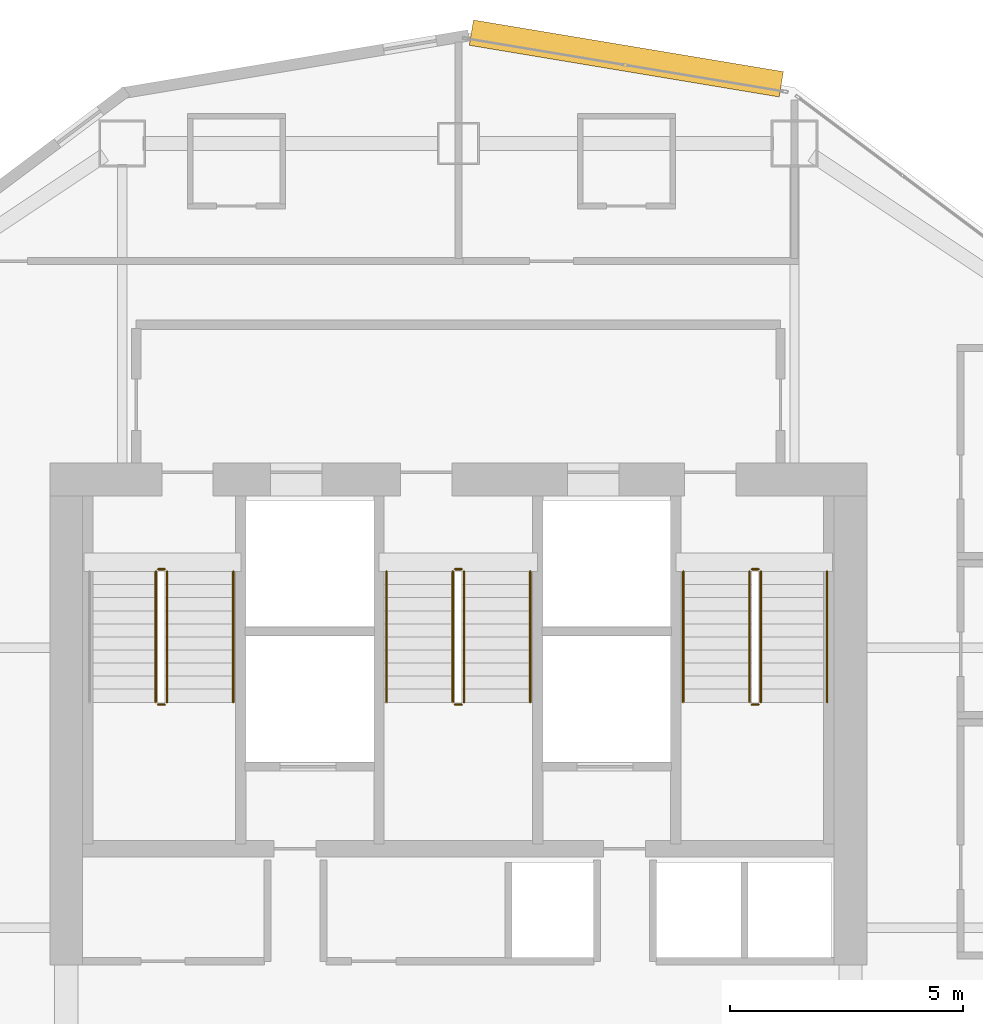
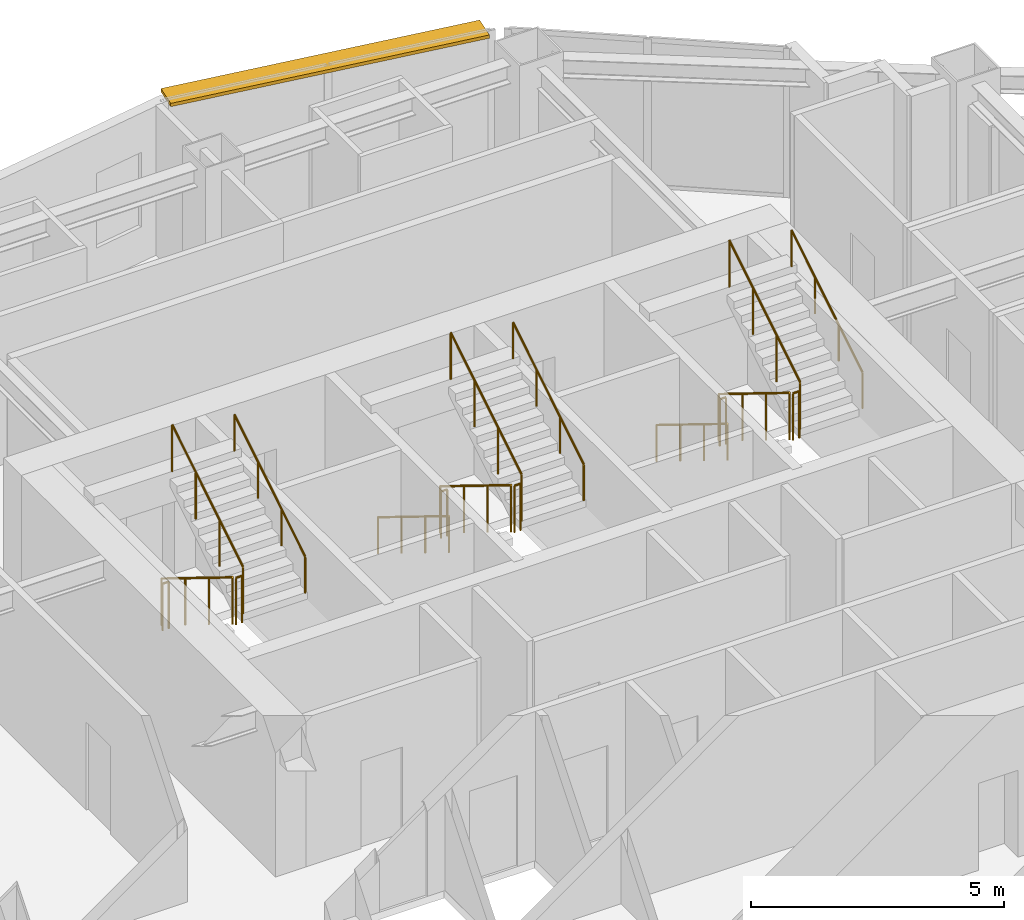
# One storey, part 14 of 14: 17 railings, 1 shading device.
"""IFC4 building model written with IfcOpenShell, lengths in metres."""

from ifc_helpers import new_model, si_unit, direction, frame, origin, origin_2d, place, context, subcontext, project, spatial, rectangle, circle, extrude, material, layer, layer_set, type_object, element, save


model = new_model("IFC4")

# Units and contexts
model_context = context("Model", 3, precision=1e-05, world=origin(), true_north=direction((0.0, 1.0)))
body_context = subcontext(model_context, "Body", "Model", "MODEL_VIEW")
ifc_project = project(units=[si_unit("LENGTHUNIT", "METRE"), si_unit("AREAUNIT", "SQUARE_METRE"), si_unit("VOLUMEUNIT", "CUBIC_METRE"), si_unit("PLANEANGLEUNIT", "RADIAN"), si_unit("MASSUNIT", "GRAM", prefix="KILO")], contexts=[model_context])

# Site, building, storey
site_placement = place(None, origin())
site = spatial("IfcSite", under=ifc_project, at=site_placement, CompositionType="ELEMENT")
building_placement = place(site_placement, origin())
building = spatial("IfcBuilding", under=site, at=building_placement, Name="Haolan Belvedere Tower", CompositionType="ELEMENT")
storey_placement = place(building_placement, frame((0.0, 0.0, 144.800048828125)))
storey = spatial("IfcBuildingStorey", under=building, at=storey_placement, Name="L36", CompositionType="ELEMENT", Elevation=144.800048828125)

# Railings
ifc_material_1 = material(Name="Brushed stainless steel 304", Category="steel")
railing_type_1 = type_object("IfcRailingType", Name="RL-STAIR-GRD-1150", PredefinedType="GUARDRAIL", material=ifc_material_1)
railing_1_placement = place(storey_placement, frame((31.919921875, 41.22998046875, 0.172607421875)))
element("IfcRailing", 1, at=railing_1_placement, inside=storey, type_object=railing_type_1, Name="L36 ST1 stair guard 1", PredefinedType="GUARDRAIL", context=body_context, shape_type="SweptSolid", body=[
    extrude(circle(Radius=0.02392578125, at=origin_2d()), frame((0.0, 0.0, 1.1259765625), z_axis=(0.0, -0.851089632645, 0.525020415988), x_axis=(1.0, 0.0, 0.0)), (0.0, 0.0, 1.0), 3.2900390625),
    extrude(circle(Radius=0.02099609375, at=origin_2d()), origin(), (0.0, 0.0, 1.0), 1.101806640625),
    extrude(circle(Radius=0.02099609375, at=origin_2d()), frame((0.0, -0.933349609375, 0.57568359375)), (0.0, 0.0, 1.0), 1.101806640625),
    extrude(circle(Radius=0.02099609375, at=origin_2d()), frame((0.0, -1.86669921875, 1.151611328125)), (0.0, 0.0, 1.0), 1.101806640625),
    extrude(circle(Radius=0.02099609375, at=origin_2d()), frame((0.0, -2.800048828125, 1.727294921875)), (0.0, 0.0, 1.0), 1.101806640625),
])
railing_2_placement = place(storey_placement, frame((31.969970703125, 38.3798828125, 1.89990234375)))
element("IfcRailing", 2, at=railing_2_placement, inside=storey, type_object=railing_type_1, Name="L36 ST1 stair guard 2", PredefinedType="GUARDRAIL", context=body_context, shape_type="SweptSolid", body=[
    extrude(circle(Radius=0.02392578125, at=origin_2d()), frame((0.0, 0.0, 1.1259765625), z_axis=(1.0, 0.0, 0.0), x_axis=(0.0, 1.0, 0.0)), (0.0, 0.0, 1.0), 0.14013671875),
    extrude(circle(Radius=0.02099609375, at=origin_2d()), origin(), (0.0, 0.0, 1.0), 1.101806640625),
    extrude(circle(Radius=0.02099609375, at=origin_2d()), frame((0.14013671875, 0.0, 0.0)), (0.0, 0.0, 1.0), 1.101806640625),
])
railing_3_placement = place(storey_placement, frame((32.159912109375, 38.429931640625, 2.07275390625)))
element("IfcRailing", 3, at=railing_3_placement, inside=storey, type_object=railing_type_1, Name="L36 ST1 stair guard 3", PredefinedType="GUARDRAIL", context=body_context, shape_type="SweptSolid", body=[
    extrude(circle(Radius=0.02392578125, at=origin_2d()), frame((0.0, 0.0, 1.1259765625), z_axis=(0.0, 0.851089632645, 0.525020415988), x_axis=(-1.0, 0.0, 0.0)), (0.0, 0.0, 1.0), 3.2900390625),
    extrude(circle(Radius=0.02099609375, at=origin_2d()), origin(), (0.0, 0.0, 1.0), 1.101806640625),
    extrude(circle(Radius=0.02099609375, at=origin_2d()), frame((0.0, 0.933349609375, 0.57568359375)), (0.0, 0.0, 1.0), 1.101806640625),
    extrude(circle(Radius=0.02099609375, at=origin_2d()), frame((0.0, 1.86669921875, 1.151611328125)), (0.0, 0.0, 1.0), 1.101806640625),
    extrude(circle(Radius=0.02099609375, at=origin_2d()), frame((0.0, 2.800048828125, 1.727294921875)), (0.0, 0.0, 1.0), 1.101806640625),
])
railing_4_placement = place(storey_placement, frame((31.969970703125, 41.280029296875, 0.0)))
element("IfcRailing", 4, at=railing_4_placement, inside=storey, type_object=railing_type_1, Name="L36 ST1 stair guard 4", PredefinedType="GUARDRAIL", context=body_context, shape_type="SweptSolid", body=[
    extrude(circle(Radius=0.02392578125, at=origin_2d()), frame((0.0, 0.0, 1.1259765625), z_axis=(1.0, 0.0, 0.0), x_axis=(0.0, 1.0, 0.0)), (0.0, 0.0, 1.0), 0.14013671875),
    extrude(circle(Radius=0.02099609375, at=origin_2d()), origin(), (0.0, 0.0, 1.0), 1.101806640625),
    extrude(circle(Radius=0.02099609375, at=origin_2d()), frame((0.14013671875, 0.0, 0.0)), (0.0, 0.0, 1.0), 1.101806640625),
])
railing_5_placement = place(storey_placement, frame((38.280029296875, 41.22998046875, 0.172607421875)))
element("IfcRailing", 5, at=railing_5_placement, inside=storey, type_object=railing_type_1, Name="L36 ST3 stair guard 1", PredefinedType="GUARDRAIL", context=body_context, shape_type="SweptSolid", body=[
    extrude(circle(Radius=0.02392578125, at=origin_2d()), frame((0.0, 0.0, 1.1259765625), z_axis=(0.0, -0.851089632645, 0.525020415988), x_axis=(1.0, 0.0, 0.0)), (0.0, 0.0, 1.0), 3.2900390625),
    extrude(circle(Radius=0.02099609375, at=origin_2d()), origin(), (0.0, 0.0, 1.0), 1.101806640625),
    extrude(circle(Radius=0.02099609375, at=origin_2d()), frame((0.0, -0.933349609375, 0.57568359375)), (0.0, 0.0, 1.0), 1.101806640625),
    extrude(circle(Radius=0.02099609375, at=origin_2d()), frame((0.0, -1.86669921875, 1.151611328125)), (0.0, 0.0, 1.0), 1.101806640625),
    extrude(circle(Radius=0.02099609375, at=origin_2d()), frame((0.0, -2.800048828125, 1.727294921875)), (0.0, 0.0, 1.0), 1.101806640625),
])
railing_6_placement = place(storey_placement, frame((38.330078125, 38.3798828125, 1.89990234375)))
element("IfcRailing", 6, at=railing_6_placement, inside=storey, type_object=railing_type_1, Name="L36 ST3 stair guard 2", PredefinedType="GUARDRAIL", context=body_context, shape_type="SweptSolid", body=[
    extrude(circle(Radius=0.02392578125, at=origin_2d()), frame((0.0, 0.0, 1.1259765625), z_axis=(1.0, 0.0, 0.0), x_axis=(0.0, 1.0, 0.0)), (0.0, 0.0, 1.0), 0.139892578125),
    extrude(circle(Radius=0.02099609375, at=origin_2d()), origin(), (0.0, 0.0, 1.0), 1.101806640625),
    extrude(circle(Radius=0.02099609375, at=origin_2d()), frame((0.139892578125, 0.0, 0.0)), (0.0, 0.0, 1.0), 1.101806640625),
])
railing_7_placement = place(storey_placement, frame((38.52001953125, 38.429931640625, 2.07275390625)))
element("IfcRailing", 7, at=railing_7_placement, inside=storey, type_object=railing_type_1, Name="L36 ST3 stair guard 3", PredefinedType="GUARDRAIL", context=body_context, shape_type="SweptSolid", body=[
    extrude(circle(Radius=0.02392578125, at=origin_2d()), frame((0.0, 0.0, 1.1259765625), z_axis=(0.0, 0.851089632645, 0.525020415988), x_axis=(-1.0, 0.0, 0.0)), (0.0, 0.0, 1.0), 3.2900390625),
    extrude(circle(Radius=0.02099609375, at=origin_2d()), origin(), (0.0, 0.0, 1.0), 1.101806640625),
    extrude(circle(Radius=0.02099609375, at=origin_2d()), frame((0.0, 0.933349609375, 0.57568359375)), (0.0, 0.0, 1.0), 1.101806640625),
    extrude(circle(Radius=0.02099609375, at=origin_2d()), frame((0.0, 1.86669921875, 1.151611328125)), (0.0, 0.0, 1.0), 1.101806640625),
    extrude(circle(Radius=0.02099609375, at=origin_2d()), frame((0.0, 2.800048828125, 1.727294921875)), (0.0, 0.0, 1.0), 1.101806640625),
])
railing_8_placement = place(storey_placement, frame((38.330078125, 41.280029296875, 0.0)))
element("IfcRailing", 8, at=railing_8_placement, inside=storey, type_object=railing_type_1, Name="L36 ST3 stair guard 4", PredefinedType="GUARDRAIL", context=body_context, shape_type="SweptSolid", body=[
    extrude(circle(Radius=0.02392578125, at=origin_2d()), frame((0.0, 0.0, 1.1259765625), z_axis=(1.0, 0.0, 0.0), x_axis=(0.0, 1.0, 0.0)), (0.0, 0.0, 1.0), 0.139892578125),
    extrude(circle(Radius=0.02099609375, at=origin_2d()), origin(), (0.0, 0.0, 1.0), 1.101806640625),
    extrude(circle(Radius=0.02099609375, at=origin_2d()), frame((0.139892578125, 0.0, 0.0)), (0.0, 0.0, 1.0), 1.101806640625),
])
railing_9_placement = place(storey_placement, frame((44.639892578125, 41.22998046875, 0.172607421875)))
element("IfcRailing", 9, at=railing_9_placement, inside=storey, type_object=railing_type_1, Name="L36 ST2 stair guard 1", PredefinedType="GUARDRAIL", context=body_context, shape_type="SweptSolid", body=[
    extrude(circle(Radius=0.02392578125, at=origin_2d()), frame((0.0, 0.0, 1.1259765625), z_axis=(0.0, -0.851089632645, 0.525020415988), x_axis=(1.0, 0.0, 0.0)), (0.0, 0.0, 1.0), 3.2900390625),
    extrude(circle(Radius=0.02099609375, at=origin_2d()), origin(), (0.0, 0.0, 1.0), 1.101806640625),
    extrude(circle(Radius=0.02099609375, at=origin_2d()), frame((0.0, -0.933349609375, 0.57568359375)), (0.0, 0.0, 1.0), 1.101806640625),
    extrude(circle(Radius=0.02099609375, at=origin_2d()), frame((0.0, -1.86669921875, 1.151611328125)), (0.0, 0.0, 1.0), 1.101806640625),
    extrude(circle(Radius=0.02099609375, at=origin_2d()), frame((0.0, -2.800048828125, 1.727294921875)), (0.0, 0.0, 1.0), 1.101806640625),
])
railing_10_placement = place(storey_placement, frame((44.68994140625, 38.3798828125, 1.89990234375)))
element("IfcRailing", 10, at=railing_10_placement, inside=storey, type_object=railing_type_1, Name="L36 ST2 stair guard 2", PredefinedType="GUARDRAIL", context=body_context, shape_type="SweptSolid", body=[
    extrude(circle(Radius=0.02392578125, at=origin_2d()), frame((0.0, 0.0, 1.1259765625), z_axis=(1.0, 0.0, 0.0), x_axis=(0.0, 1.0, 0.0)), (0.0, 0.0, 1.0), 0.14013671875),
    extrude(circle(Radius=0.02099609375, at=origin_2d()), origin(), (0.0, 0.0, 1.0), 1.101806640625),
    extrude(circle(Radius=0.02099609375, at=origin_2d()), frame((0.14013671875, 0.0, 0.0)), (0.0, 0.0, 1.0), 1.101806640625),
])
railing_11_placement = place(storey_placement, frame((44.8798828125, 38.429931640625, 2.07275390625)))
element("IfcRailing", 11, at=railing_11_placement, inside=storey, type_object=railing_type_1, Name="L36 ST2 stair guard 3", PredefinedType="GUARDRAIL", context=body_context, shape_type="SweptSolid", body=[
    extrude(circle(Radius=0.02392578125, at=origin_2d()), frame((0.0, 0.0, 1.1259765625), z_axis=(0.0, 0.851089632645, 0.525020415988), x_axis=(-1.0, 0.0, 0.0)), (0.0, 0.0, 1.0), 3.2900390625),
    extrude(circle(Radius=0.02099609375, at=origin_2d()), origin(), (0.0, 0.0, 1.0), 1.101806640625),
    extrude(circle(Radius=0.02099609375, at=origin_2d()), frame((0.0, 0.933349609375, 0.57568359375)), (0.0, 0.0, 1.0), 1.101806640625),
    extrude(circle(Radius=0.02099609375, at=origin_2d()), frame((0.0, 1.86669921875, 1.151611328125)), (0.0, 0.0, 1.0), 1.101806640625),
    extrude(circle(Radius=0.02099609375, at=origin_2d()), frame((0.0, 2.800048828125, 1.727294921875)), (0.0, 0.0, 1.0), 1.101806640625),
])
railing_12_placement = place(storey_placement, frame((44.68994140625, 41.280029296875, 0.0)))
element("IfcRailing", 12, at=railing_12_placement, inside=storey, type_object=railing_type_1, Name="L36 ST2 stair guard 4", PredefinedType="GUARDRAIL", context=body_context, shape_type="SweptSolid", body=[
    extrude(circle(Radius=0.02392578125, at=origin_2d()), frame((0.0, 0.0, 1.1259765625), z_axis=(1.0, 0.0, 0.0), x_axis=(0.0, 1.0, 0.0)), (0.0, 0.0, 1.0), 0.14013671875),
    extrude(circle(Radius=0.02099609375, at=origin_2d()), origin(), (0.0, 0.0, 1.0), 1.101806640625),
    extrude(circle(Radius=0.02099609375, at=origin_2d()), frame((0.14013671875, 0.0, 0.0)), (0.0, 0.0, 1.0), 1.101806640625),
])
railing_type_2 = type_object("IfcRailingType", Name="RL-STAIR-HND-900", PredefinedType="HANDRAIL", material=ifc_material_1)
railing_13_placement = place(storey_placement, frame((33.580078125, 38.429931640625, 2.07275390625)))
element("IfcRailing", 13, at=railing_13_placement, inside=storey, type_object=railing_type_2, Name="L36 ST1 stair handrail 2", PredefinedType="HANDRAIL", context=body_context, shape_type="SweptSolid", body=[
    extrude(circle(Radius=0.02392578125, at=origin_2d()), frame((0.0, 0.0, 0.8759765625), z_axis=(0.0, 0.851089632645, 0.525020415988), x_axis=(-1.0, 0.0, 0.0)), (0.0, 0.0, 1.0), 3.2900390625),
    extrude(circle(Radius=0.02099609375, at=origin_2d()), origin(), (0.0, 0.0, 1.0), 0.851806640625),
    extrude(circle(Radius=0.02099609375, at=origin_2d()), frame((0.0, 0.933349609375, 0.57568359375)), (0.0, 0.0, 1.0), 0.851806640625),
    extrude(circle(Radius=0.02099609375, at=origin_2d()), frame((0.0, 1.86669921875, 1.151611328125)), (0.0, 0.0, 1.0), 0.851806640625),
    extrude(circle(Radius=0.02099609375, at=origin_2d()), frame((0.0, 2.800048828125, 1.727294921875)), (0.0, 0.0, 1.0), 0.851806640625),
])
railing_14_placement = place(storey_placement, frame((36.860107421875, 41.22998046875, 0.172607421875)))
element("IfcRailing", 14, at=railing_14_placement, inside=storey, type_object=railing_type_2, Name="L36 ST3 stair handrail 1", PredefinedType="HANDRAIL", context=body_context, shape_type="SweptSolid", body=[
    extrude(circle(Radius=0.02392578125, at=origin_2d()), frame((0.0, 0.0, 0.8759765625), z_axis=(0.0, -0.851089632645, 0.525020415988), x_axis=(1.0, 0.0, 0.0)), (0.0, 0.0, 1.0), 3.2900390625),
    extrude(circle(Radius=0.02099609375, at=origin_2d()), origin(), (0.0, 0.0, 1.0), 0.851806640625),
    extrude(circle(Radius=0.02099609375, at=origin_2d()), frame((0.0, -0.933349609375, 0.57568359375)), (0.0, 0.0, 1.0), 0.851806640625),
    extrude(circle(Radius=0.02099609375, at=origin_2d()), frame((0.0, -1.86669921875, 1.151611328125)), (0.0, 0.0, 1.0), 0.851806640625),
    extrude(circle(Radius=0.02099609375, at=origin_2d()), frame((0.0, -2.800048828125, 1.727294921875)), (0.0, 0.0, 1.0), 0.851806640625),
])
railing_15_placement = place(storey_placement, frame((39.93994140625, 38.429931640625, 2.07275390625)))
element("IfcRailing", 15, at=railing_15_placement, inside=storey, type_object=railing_type_2, Name="L36 ST3 stair handrail 2", PredefinedType="HANDRAIL", context=body_context, shape_type="SweptSolid", body=[
    extrude(circle(Radius=0.02392578125, at=origin_2d()), frame((0.0, 0.0, 0.8759765625), z_axis=(0.0, 0.851089632645, 0.525020415988), x_axis=(-1.0, 0.0, 0.0)), (0.0, 0.0, 1.0), 3.2900390625),
    extrude(circle(Radius=0.02099609375, at=origin_2d()), origin(), (0.0, 0.0, 1.0), 0.851806640625),
    extrude(circle(Radius=0.02099609375, at=origin_2d()), frame((0.0, 0.933349609375, 0.57568359375)), (0.0, 0.0, 1.0), 0.851806640625),
    extrude(circle(Radius=0.02099609375, at=origin_2d()), frame((0.0, 1.86669921875, 1.151611328125)), (0.0, 0.0, 1.0), 0.851806640625),
    extrude(circle(Radius=0.02099609375, at=origin_2d()), frame((0.0, 2.800048828125, 1.727294921875)), (0.0, 0.0, 1.0), 0.851806640625),
])
railing_16_placement = place(storey_placement, frame((43.219970703125, 41.22998046875, 0.172607421875)))
element("IfcRailing", 16, at=railing_16_placement, inside=storey, type_object=railing_type_2, Name="L36 ST2 stair handrail 1", PredefinedType="HANDRAIL", context=body_context, shape_type="SweptSolid", body=[
    extrude(circle(Radius=0.02392578125, at=origin_2d()), frame((0.0, 0.0, 0.8759765625), z_axis=(0.0, -0.851089632645, 0.525020415988), x_axis=(1.0, 0.0, 0.0)), (0.0, 0.0, 1.0), 3.2900390625),
    extrude(circle(Radius=0.02099609375, at=origin_2d()), origin(), (0.0, 0.0, 1.0), 0.851806640625),
    extrude(circle(Radius=0.02099609375, at=origin_2d()), frame((0.0, -0.933349609375, 0.57568359375)), (0.0, 0.0, 1.0), 0.851806640625),
    extrude(circle(Radius=0.02099609375, at=origin_2d()), frame((0.0, -1.86669921875, 1.151611328125)), (0.0, 0.0, 1.0), 0.851806640625),
    extrude(circle(Radius=0.02099609375, at=origin_2d()), frame((0.0, -2.800048828125, 1.727294921875)), (0.0, 0.0, 1.0), 0.851806640625),
])
railing_17_placement = place(storey_placement, frame((46.300048828125, 38.429931640625, 2.07275390625)))
element("IfcRailing", 17, at=railing_17_placement, inside=storey, type_object=railing_type_2, Name="L36 ST2 stair handrail 2", PredefinedType="HANDRAIL", context=body_context, shape_type="SweptSolid", body=[
    extrude(circle(Radius=0.02392578125, at=origin_2d()), frame((0.0, 0.0, 0.8759765625), z_axis=(0.0, 0.851089632645, 0.525020415988), x_axis=(-1.0, 0.0, 0.0)), (0.0, 0.0, 1.0), 3.2900390625),
    extrude(circle(Radius=0.02099609375, at=origin_2d()), origin(), (0.0, 0.0, 1.0), 0.851806640625),
    extrude(circle(Radius=0.02099609375, at=origin_2d()), frame((0.0, 0.933349609375, 0.57568359375)), (0.0, 0.0, 1.0), 0.851806640625),
    extrude(circle(Radius=0.02099609375, at=origin_2d()), frame((0.0, 1.86669921875, 1.151611328125)), (0.0, 0.0, 1.0), 0.851806640625),
    extrude(circle(Radius=0.02099609375, at=origin_2d()), frame((0.0, 2.800048828125, 1.727294921875)), (0.0, 0.0, 1.0), 0.851806640625),
])

# Shading device
ifc_material_2 = material(Name="Anodised champagne-silver aluminium 6063-T6", Category="aluminium")
ifc_layer = layer(ifc_material_2, 0.080078125, Name="Anodised champagne-silver aluminium 6063-T6")
ifc_layer_set = layer_set([ifc_layer], Name="Anodised champagne-silver aluminium 6063-T6")
shading_device_type = type_object("IfcShadingDeviceType", Name="SHD-SUN-550", PredefinedType="USERDEFINED", material=ifc_layer_set)
shading_device_placement = place(storey_placement, frame((41.998779296875, 52.220458984375, 3.5), z_axis=(0.0, 0.0, 1.0), x_axis=(-0.986391978972, 0.16441065604, 0.0)))
element("IfcShadingDevice", 18, at=shading_device_placement, inside=storey, type_object=shading_device_type, Name="L36 pale-metal horizontal SUNSHADE band 27.1", ObjectType="SUNSHADE", PredefinedType="USERDEFINED", context=body_context, shape_type="SweptSolid", body=[
    extrude(rectangle(XDim=6.72998046875, YDim=0.550048828125, at=origin_2d()), origin(), (0.0, 0.0, 1.0), 0.080078125),
])

save(model, "model.ifc")
